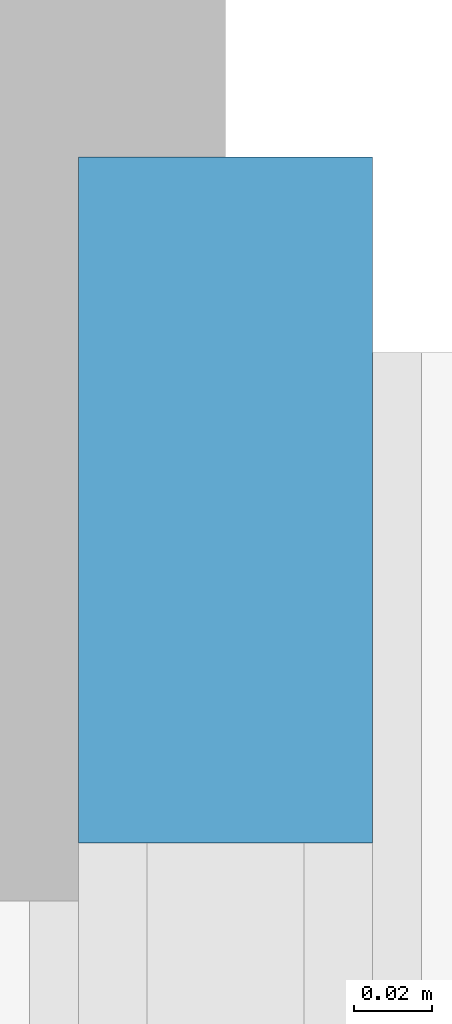
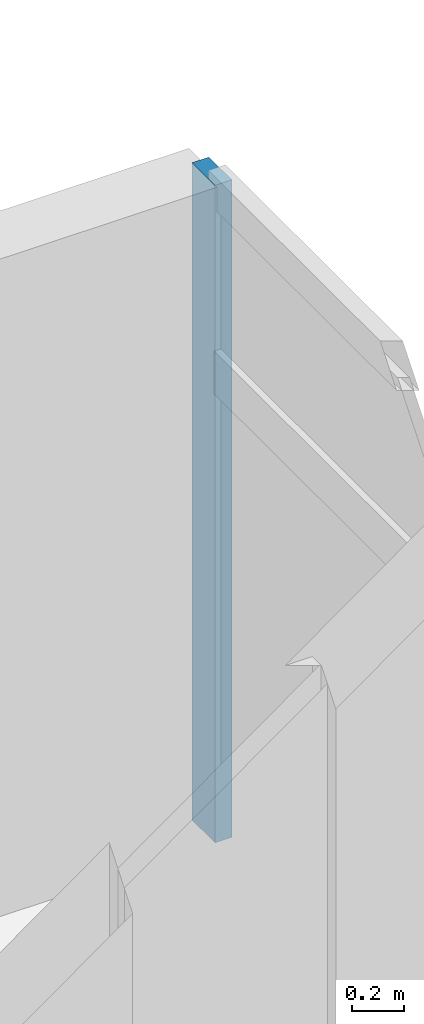
# One storey, part 6 of 14: 1 member, 1 element without a shape of its own.
"""IFC4 building model written with IfcOpenShell, lengths in metres."""

from ifc_helpers import new_model, si_unit, direction, frame, origin, origin_2d, place, context, subcontext, project, spatial, rectangle, extrude, material, material_profile, profile_set, type_object, element, aggregate, save


model = new_model("IFC4")

# Units and contexts
model_context = context("Model", 3, precision=1e-05, world=origin(), true_north=direction((0.0, 1.0)))
body_context = subcontext(model_context, "Body", "Model", "MODEL_VIEW")
ifc_project = project(units=[si_unit("LENGTHUNIT", "METRE"), si_unit("AREAUNIT", "SQUARE_METRE"), si_unit("VOLUMEUNIT", "CUBIC_METRE"), si_unit("PLANEANGLEUNIT", "RADIAN"), si_unit("MASSUNIT", "GRAM", prefix="KILO")], contexts=[model_context])

# Site, building, storey
site_placement = place(None, origin())
site = spatial("IfcSite", under=ifc_project, at=site_placement, CompositionType="ELEMENT")
building_placement = place(site_placement, origin())
building = spatial("IfcBuilding", under=site, at=building_placement, Name="Mirazonda Arch Towers", CompositionType="ELEMENT")
storey_placement = place(building_placement, frame((0.0, 0.0, 239.199951171875)))
storey = spatial("IfcBuildingStorey", under=building, at=storey_placement, Name="L68", CompositionType="ELEMENT", Elevation=239.199951171875)

# Curtain wall, member
ifc_material_1 = material(Name="Anodised Aluminium and Low-E Glass", Category="aluminium")
curtain_wall_type = type_object("IfcCurtainWallType", Name="CW-RES-UNIT", PredefinedType="NOTDEFINED", material=ifc_material_1)
curtain_wall_placement = place(storey_placement, origin())
curtain_wall = element("IfcCurtainWall", 1, at=curtain_wall_placement, inside=storey, type_object=curtain_wall_type, Name="L68 T1 E Facade CW-L68-T1-E", PredefinedType="NOTDEFINED")
ifc_material_2 = material(Name="Anodised Aluminium Alloy", Category="aluminium")
ifc_material_profile = material_profile(ifc_material_2, rectangle(XDim=0.074951171875, YDim=0.175048828125, at=origin_2d()), Name="ALU-MULL-75x175")
ifc_profile_set = profile_set([ifc_material_profile], Name="Anodised Aluminium Alloy")
member_type = type_object("IfcMemberType", Name="MULL-CW-RES-UNIT", PredefinedType="MULLION", material=ifc_profile_set)
member_placement = place(storey_placement, frame((42.260009765625, 41.700439453125, 0.0), z_axis=(0.0, 0.0, 1.0), x_axis=(-1.0, 0.0, 0.0)))
member = element("IfcMember", 2, at=member_placement, type_object=member_type, Name="CW-104 mullion 4", PredefinedType="MULLION", context=body_context, shape_type="SweptSolid", body=[
    extrude(rectangle(XDim=0.074951171875, YDim=0.175048828125, at=origin_2d()), origin(), (0.0, 0.0, 1.0), 3.080078125),
])
aggregate(curtain_wall, [member])

save(model, "model.ifc")
